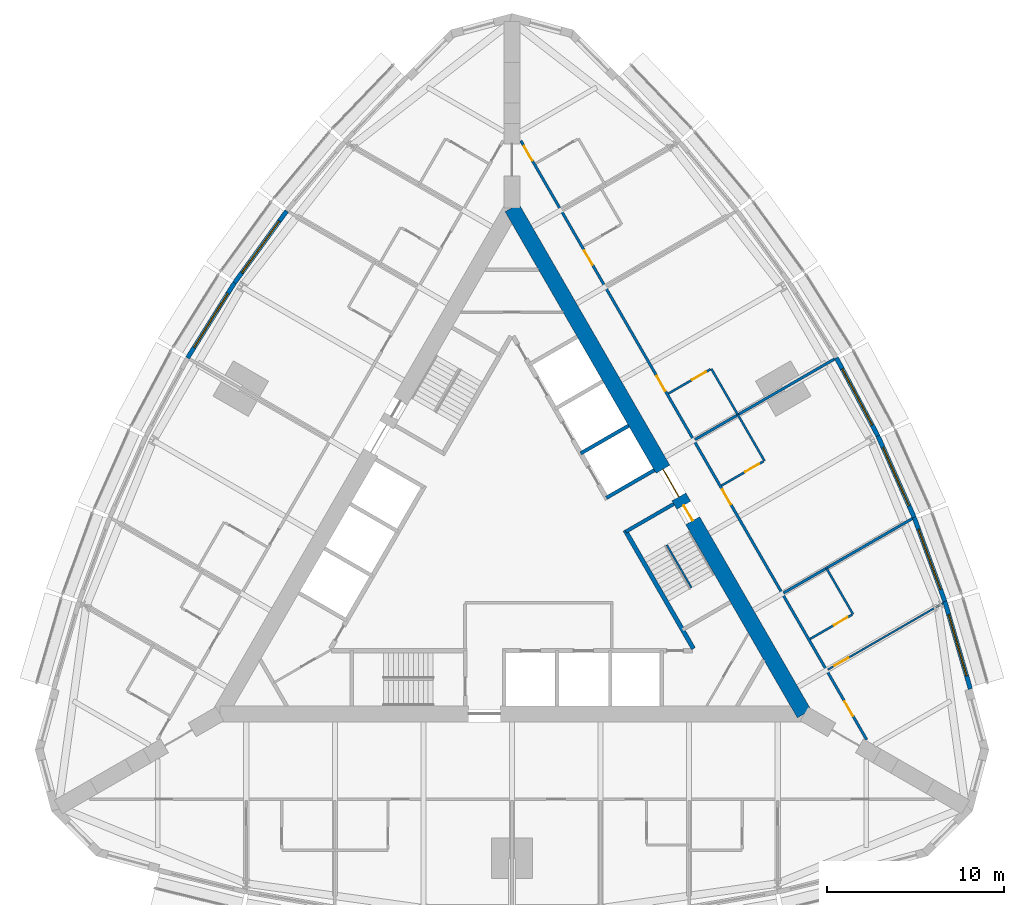
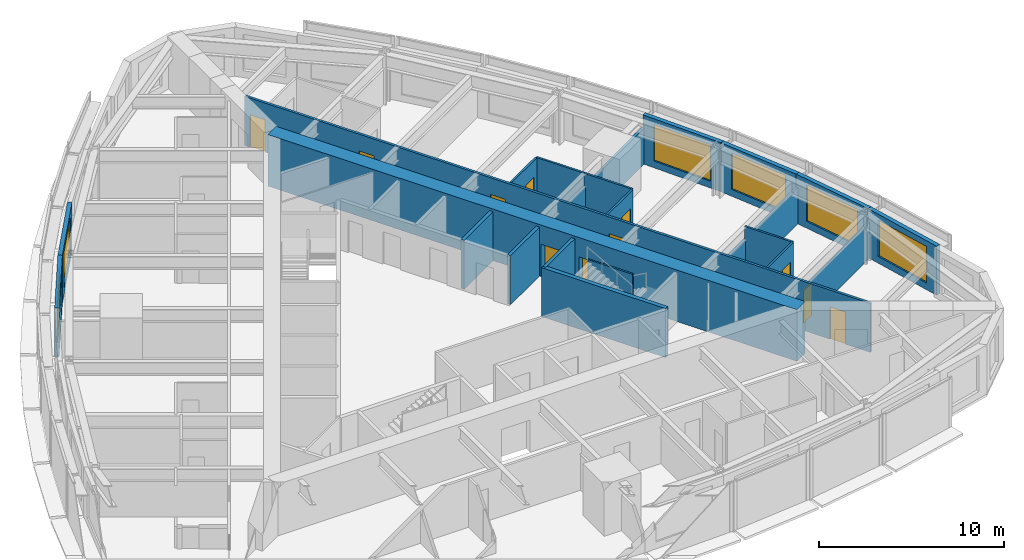
# One storey, part 11 of 14: 22 walls, 11 doors, 6 windows, 17 openings.
"""IFC4 building model written with IfcOpenShell, lengths in metres."""

from ifc_helpers import new_model, si_unit, direction, frame, frame_2d, origin, place, context, subcontext, project, spatial, rectangle, extrude, material, layer, layer_set, type_object, element, fill, save


model = new_model("IFC4")

# Units and contexts
model_context = context("Model", 3, precision=1e-05, world=origin(), true_north=direction((0.0, 1.0)))
body_context = subcontext(model_context, "Body", "Model", "MODEL_VIEW")
ifc_project = project(units=[si_unit("LENGTHUNIT", "METRE"), si_unit("AREAUNIT", "SQUARE_METRE"), si_unit("VOLUMEUNIT", "CUBIC_METRE"), si_unit("PLANEANGLEUNIT", "RADIAN"), si_unit("MASSUNIT", "GRAM", prefix="KILO")], contexts=[model_context])

# Site, building, storey
site_placement = place(None, origin())
site = spatial("IfcSite", under=ifc_project, at=site_placement, CompositionType="ELEMENT")
building_placement = place(site_placement, origin())
building = spatial("IfcBuilding", under=site, at=building_placement, Name="Trikona Tower", CompositionType="ELEMENT")
storey_placement = place(building_placement, frame((0.0, 0.0, 162.300048828125)))
storey = spatial("IfcBuildingStorey", under=building, at=storey_placement, Name="L43", CompositionType="ELEMENT", Elevation=162.300048828125)

# Wall
ifc_material_1 = material(Name="Metal stud and cement board", Category="gypsum")
ifc_layer_1 = layer(ifc_material_1, 0.1201171875)
ifc_layer_set_1 = layer_set([ifc_layer_1], Name="Bathroom wall 120")
wall_type_1 = type_object("IfcWallType", Name="Bathroom wall 120", PredefinedType="PLUMBINGWALL", material=ifc_layer_set_1)
wall_1_placement = place(storey_placement, frame((19.25341796875, -3.895263671875, 0.0), z_axis=(0.0, 0.0, 1.0), x_axis=(-0.499990139034, 0.866031096941, 0.0)))
element("IfcWall", 1, at=wall_1_placement, inside=storey, type_object=wall_type_1, Name="Bathroom wall 4305.1", PredefinedType="PLUMBINGWALL", context=body_context, shape_type="SweptSolid", body=[
    extrude(rectangle(XDim=3.0, YDim=0.1201171875, at=frame_2d((1.5, 0.0))), origin(), (0.0, 0.0, 1.0), 3.23486328125),
])

# Wall, opening, door
wall_2_placement = place(storey_placement, frame((16.82861328125, -5.295166015625, 0.0), z_axis=(0.0, 0.0, 1.0), x_axis=(0.866035715982, 0.499982138324, 0.0)))
wall_2 = element("IfcWall", 2, at=wall_2_placement, inside=storey, type_object=wall_type_1, Name="Bathroom wall 4305.1", PredefinedType="PLUMBINGWALL", context=body_context, shape_type="SweptSolid", body=[
    extrude(rectangle(XDim=2.73974609375, YDim=0.1201171875, at=frame_2d((1.369873046875, 0.0))), origin(), (0.0, 0.0, 1.0), 3.23486328125),
])
opening_1_placement = place(wall_2_placement, frame((1.550048828125, 0.0, 0.0)))
opening_1 = element("IfcOpeningElement", 3, at=opening_1_placement, cuts=wall_2, Name="Opening D2", PredefinedType="OPENING", context=body_context, shape_type="SweptSolid", body=[
    extrude(rectangle(XDim=0.89990234375, YDim=2.1298828125, at=frame_2d((0.449951171875, 1.06494140625))), frame((0.0, 0.070068359375, 0.0), z_axis=(0.0, -1.0, 0.0), x_axis=(1.0, 0.0, 0.0)), (0.0, 0.0, 1.0), 0.14013671875),
])
ifc_material_2 = material(Name="Steel door frame with solid-core timber leaf", Category="steel")
door_type_1 = type_object("IfcDoorType", Name="Bathroom door 900x2130", OperationType="SLIDING_TO_LEFT", PredefinedType="DOOR", material=ifc_material_2)
door_1_placement = place(opening_1_placement, origin())
door_1 = element("IfcDoor", 4, at=door_1_placement, inside=storey, type_object=door_type_1, Name="Bathroom door 4305.1", OperationType="SLIDING_TO_LEFT", OverallHeight=2.1298828125, OverallWidth=0.89990234375, PredefinedType="DOOR", context=body_context, shape_type="SweptSolid", body=[
    extrude(rectangle(XDim=0.89990234375, YDim=2.1298828125, at=frame_2d((0.449951171875, 1.06494140625))), frame((0.0, 0.02490234375, 0.0), z_axis=(0.0, -1.0, 0.0), x_axis=(1.0, 0.0, 0.0)), (0.0, 0.0, 1.0), 0.050048828125),
])
fill(opening_1, door_1)

# Wall
wall_3_placement = place(storey_placement, frame((14.25341796875, 4.76513671875, 0.0), z_axis=(0.0, 0.0, 1.0), x_axis=(-0.50002537861, 0.866010750942, 0.0)))
element("IfcWall", 5, at=wall_3_placement, inside=storey, type_object=wall_type_1, Name="Bathroom wall 4306", PredefinedType="PLUMBINGWALL", context=body_context, shape_type="SweptSolid", body=[
    extrude(rectangle(XDim=2.999755859375, YDim=0.1201171875, at=frame_2d((1.5, 0.0))), origin(), (0.0, 0.0, 1.0), 3.23486328125),
])

# Wall, opening, door
wall_4_placement = place(storey_placement, frame((11.82861328125, 3.364990234375, 0.0), z_axis=(0.0, 0.0, 1.0), x_axis=(0.865997131366, 0.500048966069, 0.0)))
wall_4 = element("IfcWall", 6, at=wall_4_placement, inside=storey, type_object=wall_type_1, Name="Bathroom wall 4306", PredefinedType="PLUMBINGWALL", context=body_context, shape_type="SweptSolid", body=[
    extrude(rectangle(XDim=2.739990234375, YDim=0.1201171875, at=frame_2d((1.3701171875, 0.0))), origin(), (0.0, 0.0, 1.0), 3.23486328125),
])
opening_2_placement = place(wall_4_placement, frame((1.550048828125, 0.0, 0.0)))
opening_2 = element("IfcOpeningElement", 7, at=opening_2_placement, cuts=wall_4, Name="Opening D2", PredefinedType="OPENING", context=body_context, shape_type="SweptSolid", body=[
    extrude(rectangle(XDim=0.89990234375, YDim=2.1298828125, at=frame_2d((0.449951171875, 1.06494140625))), frame((0.0, 0.070068359375, 0.0), z_axis=(0.0, -1.0, 0.0), x_axis=(1.0, 0.0, 0.0)), (0.0, 0.0, 1.0), 0.14013671875),
])
door_2_placement = place(opening_2_placement, origin())
door_2 = element("IfcDoor", 8, at=door_2_placement, inside=storey, type_object=door_type_1, Name="Bathroom door 4306", OperationType="SLIDING_TO_LEFT", OverallHeight=2.1298828125, OverallWidth=0.89990234375, PredefinedType="DOOR", context=body_context, shape_type="SweptSolid", body=[
    extrude(rectangle(XDim=0.89990234375, YDim=2.1298828125, at=frame_2d((0.449951171875, 1.06494140625))), frame((0.0, 0.02490234375, 0.0), z_axis=(0.0, -1.0, 0.0), x_axis=(1.0, 0.0, 0.0)), (0.0, 0.0, 1.0), 0.050048828125),
])
fill(opening_2, door_2)

# Wall
wall_5_placement = place(storey_placement, frame((12.75341796875, 7.363037109375, 0.0), z_axis=(0.0, 0.0, 1.0), x_axis=(-0.499990139034, 0.866031096941, 0.0)))
element("IfcWall", 9, at=wall_5_placement, inside=storey, type_object=wall_type_1, Name="Bathroom wall 4307", PredefinedType="PLUMBINGWALL", context=body_context, shape_type="SweptSolid", body=[
    extrude(rectangle(XDim=3.0, YDim=0.1201171875, at=frame_2d((1.5, 0.0))), origin(), (0.0, 0.0, 1.0), 3.23486328125),
])

# Wall, opening, door
wall_6_placement = place(storey_placement, frame((8.82861328125, 8.561279296875, 0.0), z_axis=(0.0, 0.0, 1.0), x_axis=(0.866035715982, 0.499982138324, 0.0)))
wall_6 = element("IfcWall", 10, at=wall_6_placement, inside=storey, type_object=wall_type_1, Name="Bathroom wall 4307", PredefinedType="PLUMBINGWALL", context=body_context, shape_type="SweptSolid", body=[
    extrude(rectangle(XDim=2.73974609375, YDim=0.1201171875, at=frame_2d((1.369873046875, 0.0))), origin(), (0.0, 0.0, 1.0), 3.23486328125),
])
opening_3_placement = place(wall_6_placement, frame((1.550048828125, 0.0, 0.0)))
opening_3 = element("IfcOpeningElement", 11, at=opening_3_placement, cuts=wall_6, Name="Opening D2", PredefinedType="OPENING", context=body_context, shape_type="SweptSolid", body=[
    extrude(rectangle(XDim=0.89990234375, YDim=2.1298828125, at=frame_2d((0.449951171875, 1.06494140625))), frame((0.0, 0.070068359375, 0.0), z_axis=(0.0, -1.0, 0.0), x_axis=(1.0, 0.0, 0.0)), (0.0, 0.0, 1.0), 0.14013671875),
])
door_3_placement = place(opening_3_placement, origin())
door_3 = element("IfcDoor", 12, at=door_3_placement, inside=storey, type_object=door_type_1, Name="Bathroom door 4307", OperationType="SLIDING_TO_LEFT", OverallHeight=2.1298828125, OverallWidth=0.89990234375, PredefinedType="DOOR", context=body_context, shape_type="SweptSolid", body=[
    extrude(rectangle(XDim=0.89990234375, YDim=2.1298828125, at=frame_2d((0.449951171875, 1.06494140625))), frame((0.0, 0.02490234375, 0.0), z_axis=(0.0, -1.0, 0.0), x_axis=(1.0, 0.0, 0.0)), (0.0, 0.0, 1.0), 0.050048828125),
])
fill(opening_3, door_3)

# Wall, openings, doors
ifc_material_3 = material(Name="Concrete f'c 10000 psi", Category="concrete")
ifc_layer_2 = layer(ifc_material_3, 0.89990234375)
ifc_layer_set_2 = layer_set([ifc_layer_2], Name="Core wall 900")
wall_type_2 = type_object("IfcWallType", Name="Core wall 900", PredefinedType="SHEAR", material=ifc_layer_set_2)
wall_7_placement = place(storey_placement, frame((16.5, -9.5263671875, 0.0), z_axis=(0.0, 0.0, 1.0), x_axis=(-0.499999749417, 0.866025548458, 0.0)))
wall_7 = element("IfcWall", 13, at=wall_7_placement, inside=storey, type_object=wall_type_2, Name="Core wall B", PredefinedType="SHEAR", context=body_context, shape_type="SweptSolid", body=[
    extrude(rectangle(XDim=33.0, YDim=0.89990234375, at=frame_2d((16.5, 0.0))), origin(), (0.0, 0.0, 1.0), 3.39990234375),
])
opening_4_placement = place(wall_7_placement, frame((14.14990234375, 0.0, 0.0)))
opening_4 = element("IfcOpeningElement", 14, at=opening_4_placement, cuts=wall_7, Name="Opening D6", PredefinedType="OPENING", context=body_context, shape_type="SweptSolid", body=[
    extrude(rectangle(XDim=1.800048828125, YDim=2.1298828125, at=frame_2d((0.89990234375, 1.06494140625))), frame((0.0, 0.4599609375, 0.0), z_axis=(0.0, -1.0, 0.0), x_axis=(1.0, 0.0, 0.0)), (0.0, 0.0, 1.0), 0.919921875),
])
opening_5_placement = place(wall_7_placement, frame((12.60009765625, 0.0, 0.0)))
opening_5 = element("IfcOpeningElement", 15, at=opening_5_placement, cuts=wall_7, Name="Opening D5", PredefinedType="OPENING", context=body_context, shape_type="SweptSolid", body=[
    extrude(rectangle(XDim=1.0, YDim=2.1298828125, at=frame_2d((0.5, 1.06494140625))), frame((0.0, 0.4599609375, 0.0), z_axis=(0.0, -1.0, 0.0), x_axis=(1.0, 0.0, 0.0)), (0.0, 0.0, 1.0), 0.919921875),
])
ifc_material_4 = material(Name="Hollow metal door and frame", Category="steel")
door_type_2 = type_object("IfcDoorType", Name="Lobby door pair 1800x2130", OperationType="DOUBLE_DOOR_SINGLE_SWING", PredefinedType="DOOR", material=ifc_material_4)
door_4_placement = place(opening_4_placement, origin())
door_4 = element("IfcDoor", 16, at=door_4_placement, inside=storey, type_object=door_type_2, Name="Lift lobby door B", OperationType="DOUBLE_DOOR_SINGLE_SWING", OverallHeight=2.1298828125, OverallWidth=1.800048828125, PredefinedType="DOOR", context=body_context, shape_type="SweptSolid", body=[
    extrude(rectangle(XDim=1.800048828125, YDim=2.1298828125, at=frame_2d((0.89990234375, 1.06494140625))), frame((0.0, 0.02490234375, 0.0), z_axis=(0.0, -1.0, 0.0), x_axis=(1.0, 0.0, 0.0)), (0.0, 0.0, 1.0), 0.050048828125),
])
fill(opening_4, door_4)
ifc_material_5 = material(Name="Hollow metal door and frame", Category="steel")
door_type_3 = type_object("IfcDoorType", Name="Stair door 1000x2130", OperationType="SINGLE_SWING_LEFT", PredefinedType="DOOR", material=ifc_material_5)
door_5_placement = place(opening_5_placement, origin())
door_5 = element("IfcDoor", 17, at=door_5_placement, inside=storey, type_object=door_type_3, Name="Stair B door", OperationType="SINGLE_SWING_RIGHT", OverallHeight=2.1298828125, OverallWidth=1.0, PredefinedType="DOOR", context=body_context, shape_type="SweptSolid", body=[
    extrude(rectangle(XDim=1.0, YDim=2.1298828125, at=frame_2d((0.5, 1.06494140625))), frame((0.0, 0.02490234375, 0.0), z_axis=(0.0, -1.0, 0.0), x_axis=(1.0, 0.0, 0.0)), (0.0, 0.0, 1.0), 0.050048828125),
])
fill(opening_5, door_5)

ifc_material_6 = material(Name="Metal stud and gypsum board, 1-hour", Category="gypsum")
ifc_layer_3 = layer(ifc_material_6, 0.14990234375)
ifc_layer_set_3 = layer_set([ifc_layer_3], Name="Corridor wall 150")
wall_type_3 = type_object("IfcWallType", Name="Corridor wall 150", PredefinedType="PARTITIONING", material=ifc_layer_set_3)
wall_8_placement = place(storey_placement, frame((20.027099609375, -10.9853515625, 0.0), z_axis=(0.0, 0.0, 1.0), x_axis=(-0.500001677587, 0.866024435227, 0.0)))
wall_8 = element("IfcWall", 18, at=wall_8_placement, inside=storey, type_object=wall_type_3, Name="Corridor wall L43-2", PredefinedType="PARTITIONING", context=body_context, shape_type="SweptSolid", body=[
    extrude(rectangle(XDim=39.053955078125, YDim=0.14990234375, at=frame_2d((19.52685546875, 0.0))), origin(), (0.0, 0.0, 1.0), 3.23486328125),
])
opening_6_placement = place(wall_8_placement, frame((1.558349609375, 0.0, 0.0)))
opening_6 = element("IfcOpeningElement", 19, at=opening_6_placement, cuts=wall_8, Name="Opening D1", PredefinedType="OPENING", context=body_context, shape_type="SweptSolid", body=[
    extrude(rectangle(XDim=0.949951171875, YDim=2.1298828125, at=frame_2d((0.47509765625, 1.06494140625))), frame((0.0, 0.0849609375, 0.0), z_axis=(0.0, -1.0, 0.0), x_axis=(1.0, 0.0, 0.0)), (0.0, 0.0, 1.0), 0.169921875),
])
opening_7_placement = place(wall_8_placement, frame((15.35205078125, 0.0, 0.0)))
opening_7 = element("IfcOpeningElement", 20, at=opening_7_placement, cuts=wall_8, Name="Opening D1", PredefinedType="OPENING", context=body_context, shape_type="SweptSolid", body=[
    extrude(rectangle(XDim=0.949951171875, YDim=2.1298828125, at=frame_2d((0.47509765625, 1.06494140625))), frame((0.0, 0.0849609375, 0.0), z_axis=(0.0, -1.0, 0.0), x_axis=(1.0, 0.0, 0.0)), (0.0, 0.0, 1.0), 0.169921875),
])
opening_8_placement = place(wall_8_placement, frame((22.751953125, 0.0, 0.0)))
opening_8 = element("IfcOpeningElement", 21, at=opening_8_placement, cuts=wall_8, Name="Opening D1", PredefinedType="OPENING", context=body_context, shape_type="SweptSolid", body=[
    extrude(rectangle(XDim=0.949951171875, YDim=2.1298828125, at=frame_2d((0.47509765625, 1.06494140625))), frame((0.0, 0.0849609375, 0.0), z_axis=(0.0, -1.0, 0.0), x_axis=(1.0, 0.0, 0.0)), (0.0, 0.0, 1.0), 0.169921875),
])
opening_9_placement = place(wall_8_placement, frame((30.951904296875, 0.0, 0.0)))
opening_9 = element("IfcOpeningElement", 22, at=opening_9_placement, cuts=wall_8, Name="Opening D1", PredefinedType="OPENING", context=body_context, shape_type="SweptSolid", body=[
    extrude(rectangle(XDim=0.949951171875, YDim=2.1298828125, at=frame_2d((0.47509765625, 1.06494140625))), frame((0.0, 0.0849609375, 0.0), z_axis=(0.0, -1.0, 0.0), x_axis=(1.0, 0.0, 0.0)), (0.0, 0.0, 1.0), 0.169921875),
])
opening_10_placement = place(wall_8_placement, frame((37.751953125, 0.0, 0.0)))
opening_10 = element("IfcOpeningElement", 23, at=opening_10_placement, cuts=wall_8, Name="Opening D1", PredefinedType="OPENING", context=body_context, shape_type="SweptSolid", body=[
    extrude(rectangle(XDim=0.949951171875, YDim=2.1298828125, at=frame_2d((0.47509765625, 1.06494140625))), frame((0.0, 0.0849609375, 0.0), z_axis=(0.0, -1.0, 0.0), x_axis=(1.0, 0.0, 0.0)), (0.0, 0.0, 1.0), 0.169921875),
])
ifc_material_7 = material(Name="Steel door frame with solid-core timber leaf", Category="steel")
door_type_4 = type_object("IfcDoorType", Name="Guest room door 950x2130", OperationType="SINGLE_SWING_LEFT", PredefinedType="DOOR", material=ifc_material_7)
door_6_placement = place(opening_6_placement, origin())
door_6 = element("IfcDoor", 24, at=door_6_placement, inside=storey, type_object=door_type_4, Name="Room door 4305", OperationType="SINGLE_SWING_LEFT", OverallHeight=2.1298828125, OverallWidth=0.949951171875, PredefinedType="DOOR", context=body_context, shape_type="SweptSolid", body=[
    extrude(rectangle(XDim=0.949951171875, YDim=2.1298828125, at=frame_2d((0.47509765625, 1.06494140625))), frame((0.0, 0.02490234375, 0.0), z_axis=(0.0, -1.0, 0.0), x_axis=(1.0, 0.0, 0.0)), (0.0, 0.0, 1.0), 0.050048828125),
])
fill(opening_6, door_6)
door_7_placement = place(opening_7_placement, origin())
door_7 = element("IfcDoor", 25, at=door_7_placement, inside=storey, type_object=door_type_4, Name="Room door 4306", OperationType="SINGLE_SWING_RIGHT", OverallHeight=2.1298828125, OverallWidth=0.949951171875, PredefinedType="DOOR", context=body_context, shape_type="SweptSolid", body=[
    extrude(rectangle(XDim=0.949951171875, YDim=2.1298828125, at=frame_2d((0.47509765625, 1.06494140625))), frame((0.0, 0.02490234375, 0.0), z_axis=(0.0, -1.0, 0.0), x_axis=(1.0, 0.0, 0.0)), (0.0, 0.0, 1.0), 0.050048828125),
])
fill(opening_7, door_7)
door_8_placement = place(opening_8_placement, origin())
door_8 = element("IfcDoor", 26, at=door_8_placement, inside=storey, type_object=door_type_4, Name="Room door 4307", OperationType="SINGLE_SWING_LEFT", OverallHeight=2.1298828125, OverallWidth=0.949951171875, PredefinedType="DOOR", context=body_context, shape_type="SweptSolid", body=[
    extrude(rectangle(XDim=0.949951171875, YDim=2.1298828125, at=frame_2d((0.47509765625, 1.06494140625))), frame((0.0, 0.02490234375, 0.0), z_axis=(0.0, -1.0, 0.0), x_axis=(1.0, 0.0, 0.0)), (0.0, 0.0, 1.0), 0.050048828125),
])
fill(opening_8, door_8)
door_9_placement = place(opening_9_placement, origin())
door_9 = element("IfcDoor", 27, at=door_9_placement, inside=storey, type_object=door_type_4, Name="Room door 4308", OperationType="SINGLE_SWING_RIGHT", OverallHeight=2.1298828125, OverallWidth=0.949951171875, PredefinedType="DOOR", context=body_context, shape_type="SweptSolid", body=[
    extrude(rectangle(XDim=0.949951171875, YDim=2.1298828125, at=frame_2d((0.47509765625, 1.06494140625))), frame((0.0, 0.02490234375, 0.0), z_axis=(0.0, -1.0, 0.0), x_axis=(1.0, 0.0, 0.0)), (0.0, 0.0, 1.0), 0.050048828125),
])
fill(opening_9, door_9)
door_10_placement = place(opening_10_placement, origin())
door_10 = element("IfcDoor", 28, at=door_10_placement, inside=storey, type_object=door_type_4, Name="Room door 4309", OperationType="SINGLE_SWING_RIGHT", OverallHeight=2.1298828125, OverallWidth=0.949951171875, PredefinedType="DOOR", context=body_context, shape_type="SweptSolid", body=[
    extrude(rectangle(XDim=0.949951171875, YDim=2.1298828125, at=frame_2d((0.47509765625, 1.06494140625))), frame((0.0, 0.02490234375, 0.0), z_axis=(0.0, -1.0, 0.0), x_axis=(1.0, 0.0, 0.0)), (0.0, 0.0, 1.0), 0.050048828125),
])
fill(opening_10, door_10)

# Wall
ifc_material_8 = material(Name="Concrete f'c 8000 psi", Category="concrete")
ifc_layer_4 = layer(ifc_material_8, 0.25)
ifc_layer_set_4 = layer_set([ifc_layer_4], Name="Hub wall 250")
wall_type_4 = type_object("IfcWallType", Name="Hub wall 250", PredefinedType="SOLIDWALL", material=ifc_layer_set_4)
wall_9_placement = place(storey_placement, frame((10.245361328125, -5.843017578125, 0.0), z_axis=(0.0, 0.0, 1.0), x_axis=(-0.499993009313, 0.866029439822, 0.0)))
element("IfcWall", 29, at=wall_9_placement, inside=storey, type_object=wall_type_4, Name="Lift lobby wall B1", PredefinedType="SOLIDWALL", context=body_context, shape_type="SweptSolid", body=[
    extrude(rectangle(XDim=7.73291015625, YDim=0.25, at=frame_2d((3.866455078125, 0.0))), origin(), (0.0, 0.0, 1.0), 3.23486328125),
])

# Wall, opening, window
ifc_material_9 = material(Name="Insulated precast concrete spandrel panel", Category="concrete")
ifc_layer_5 = layer(ifc_material_9, 0.25)
ifc_layer_set_5 = layer_set([ifc_layer_5], Name="Inner skin wall 250")
wall_type_5 = type_object("IfcWallType", Name="Inner skin wall 250", PredefinedType="STANDARD", material=ifc_layer_set_5)
wall_10_placement = place(storey_placement, frame((25.8798828125, -8.117919921875, 0.0), z_axis=(0.0, 0.0, 1.0), x_axis=(-0.279528287117, 0.960137457191, 0.0)))
wall_10 = element("IfcWall", 30, at=wall_10_placement, inside=storey, type_object=wall_type_5, Name="External wall L43-12", PredefinedType="STANDARD", context=body_context, shape_type="SweptSolid", body=[
    extrude(rectangle(XDim=5.14794921875, YDim=0.25, at=frame_2d((2.573974609375, 0.0))), origin(), (0.0, 0.0, 1.0), 3.23486328125),
])
opening_11_placement = place(wall_10_placement, frame((0.77392578125, 0.0, 0.449951171875)))
opening_11 = element("IfcOpeningElement", 31, at=opening_11_placement, cuts=wall_10, Name="Opening W3624", PredefinedType="OPENING", context=body_context, shape_type="SweptSolid", body=[
    extrude(rectangle(XDim=3.60009765625, YDim=2.39990234375, at=frame_2d((1.800048828125, 1.199951171875))), frame((0.0, 0.135009765625, 0.0), z_axis=(0.0, -1.0, 0.0), x_axis=(1.0, 0.0, 0.0)), (0.0, 0.0, 1.0), 0.27001953125),
])
ifc_material_10 = material(Name="Aluminium-framed double glazing", Category="aluminium")
window_type = type_object("IfcWindowType", Name="Window 3600x2400", PartitioningType="SINGLE_PANEL", PredefinedType="WINDOW", material=ifc_material_10)
window_1_placement = place(opening_11_placement, origin())
window_1 = element("IfcWindow", 32, at=window_1_placement, inside=storey, type_object=window_type, Name="Window 4305", OverallHeight=2.39990234375, OverallWidth=3.60009765625, PartitioningType="SINGLE_PANEL", PredefinedType="WINDOW", context=body_context, shape_type="SweptSolid", body=[
    extrude(rectangle(XDim=3.60009765625, YDim=2.39990234375, at=frame_2d((1.800048828125, 1.199951171875))), frame((0.0, 0.030029296875, 0.0), z_axis=(0.0, -1.0, 0.0), x_axis=(1.0, 0.0, 0.0)), (0.0, 0.0, 1.0), 0.06005859375),
])
fill(opening_11, window_1)

wall_11_placement = place(storey_placement, frame((24.443603515625, -3.18310546875, 0.0), z_axis=(0.0, 0.0, 1.0), x_axis=(-0.343225593282, 0.939252996863, 0.0)))
wall_11 = element("IfcWall", 33, at=wall_11_placement, inside=storey, type_object=wall_type_5, Name="External wall L43-13", PredefinedType="STANDARD", context=body_context, shape_type="SweptSolid", body=[
    extrude(rectangle(XDim=5.075927734375, YDim=0.25, at=frame_2d((2.5380859375, 0.0))), origin(), (0.0, 0.0, 1.0), 3.23486328125),
])
opening_12_placement = place(wall_11_placement, frame((0.738037109375, 0.0, 0.449951171875)))
opening_12 = element("IfcOpeningElement", 34, at=opening_12_placement, cuts=wall_11, Name="Opening W3624", PredefinedType="OPENING", context=body_context, shape_type="SweptSolid", body=[
    extrude(rectangle(XDim=3.60009765625, YDim=2.39990234375, at=frame_2d((1.800048828125, 1.199951171875))), frame((0.0, 0.135009765625, 0.0), z_axis=(0.0, -1.0, 0.0), x_axis=(1.0, 0.0, 0.0)), (0.0, 0.0, 1.0), 0.27001953125),
])
window_2_placement = place(opening_12_placement, origin())
window_2 = element("IfcWindow", 35, at=window_2_placement, inside=storey, type_object=window_type, Name="Window 4305.1", OverallHeight=2.39990234375, OverallWidth=3.60009765625, PartitioningType="SINGLE_PANEL", PredefinedType="WINDOW", context=body_context, shape_type="SweptSolid", body=[
    extrude(rectangle(XDim=3.60009765625, YDim=2.39990234375, at=frame_2d((1.800048828125, 1.199951171875))), frame((0.0, 0.030029296875, 0.0), z_axis=(0.0, -1.0, 0.0), x_axis=(1.0, 0.0, 0.0)), (0.0, 0.0, 1.0), 0.06005859375),
])
fill(opening_12, window_2)

wall_12_placement = place(storey_placement, frame((22.70458984375, 1.576416015625, 0.0), z_axis=(0.0, 0.0, 1.0), x_axis=(-0.406832200364, 0.913502906808, 0.0)))
wall_12 = element("IfcWall", 36, at=wall_12_placement, inside=storey, type_object=wall_type_5, Name="External wall L43-14", PredefinedType="STANDARD", context=body_context, shape_type="SweptSolid", body=[
    extrude(rectangle(XDim=5.027587890625, YDim=0.25, at=frame_2d((2.513671875, 0.0))), origin(), (0.0, 0.0, 1.0), 3.23486328125),
])
opening_13_placement = place(wall_12_placement, frame((0.713623046875, 0.0, 0.449951171875)))
opening_13 = element("IfcOpeningElement", 37, at=opening_13_placement, cuts=wall_12, Name="Opening W3624", PredefinedType="OPENING", context=body_context, shape_type="SweptSolid", body=[
    extrude(rectangle(XDim=3.60009765625, YDim=2.39990234375, at=frame_2d((1.800048828125, 1.199951171875))), frame((0.0, 0.135009765625, 0.0), z_axis=(0.0, -1.0, 0.0), x_axis=(1.0, 0.0, 0.0)), (0.0, 0.0, 1.0), 0.27001953125),
])
window_3_placement = place(opening_13_placement, origin())
window_3 = element("IfcWindow", 38, at=window_3_placement, inside=storey, type_object=window_type, Name="Window 4306", OverallHeight=2.39990234375, OverallWidth=3.60009765625, PartitioningType="SINGLE_PANEL", PredefinedType="WINDOW", context=body_context, shape_type="SweptSolid", body=[
    extrude(rectangle(XDim=3.60009765625, YDim=2.39990234375, at=frame_2d((1.800048828125, 1.199951171875))), frame((0.0, 0.030029296875, 0.0), z_axis=(0.0, -1.0, 0.0), x_axis=(1.0, 0.0, 0.0)), (0.0, 0.0, 1.0), 0.06005859375),
])
fill(opening_13, window_3)

wall_13_placement = place(storey_placement, frame((20.662841796875, 6.161376953125, 0.0), z_axis=(0.0, 0.0, 1.0), x_axis=(-0.469404966864, 0.882982999317, 0.0)))
wall_13 = element("IfcWall", 39, at=wall_13_placement, inside=storey, type_object=wall_type_5, Name="External wall L43-15", PredefinedType="STANDARD", context=body_context, shape_type="SweptSolid", body=[
    extrude(rectangle(XDim=5.0029296875, YDim=0.25, at=frame_2d((2.50146484375, 0.0))), origin(), (0.0, 0.0, 1.0), 3.23486328125),
])
opening_14_placement = place(wall_13_placement, frame((0.701416015625, 0.0, 0.449951171875)))
opening_14 = element("IfcOpeningElement", 40, at=opening_14_placement, cuts=wall_13, Name="Opening W3624", PredefinedType="OPENING", context=body_context, shape_type="SweptSolid", body=[
    extrude(rectangle(XDim=3.60009765625, YDim=2.39990234375, at=frame_2d((1.800048828125, 1.199951171875))), frame((0.0, 0.135009765625, 0.0), z_axis=(0.0, -1.0, 0.0), x_axis=(1.0, 0.0, 0.0)), (0.0, 0.0, 1.0), 0.27001953125),
])
window_4_placement = place(opening_14_placement, origin())
window_4 = element("IfcWindow", 41, at=window_4_placement, inside=storey, type_object=window_type, Name="Window 4306", OverallHeight=2.39990234375, OverallWidth=3.60009765625, PartitioningType="SINGLE_PANEL", PredefinedType="WINDOW", context=body_context, shape_type="SweptSolid", body=[
    extrude(rectangle(XDim=3.60009765625, YDim=2.39990234375, at=frame_2d((1.800048828125, 1.199951171875))), frame((0.0, 0.030029296875, 0.0), z_axis=(0.0, -1.0, 0.0), x_axis=(1.0, 0.0, 0.0)), (0.0, 0.0, 1.0), 0.06005859375),
])
fill(opening_14, window_4)

wall_14_placement = place(storey_placement, frame((-12.717529296875, 18.87451171875, 0.0), z_axis=(0.0, 0.0, 1.0), x_axis=(-0.587669188412, -0.809101307001, 0.0)))
wall_14 = element("IfcWall", 42, at=wall_14_placement, inside=storey, type_object=wall_type_5, Name="External wall L43-26", PredefinedType="STANDARD", context=body_context, shape_type="SweptSolid", body=[
    extrude(rectangle(XDim=5.027587890625, YDim=0.25, at=frame_2d((2.513671875, 0.0))), origin(), (0.0, 0.0, 1.0), 3.23486328125),
])
opening_15_placement = place(wall_14_placement, frame((0.7138671875, 0.0, 0.449951171875)))
opening_15 = element("IfcOpeningElement", 43, at=opening_15_placement, cuts=wall_14, Name="Opening W3624", PredefinedType="OPENING", context=body_context, shape_type="SweptSolid", body=[
    extrude(rectangle(XDim=3.60009765625, YDim=2.39990234375, at=frame_2d((1.800048828125, 1.199951171875))), frame((0.0, 0.135009765625, 0.0), z_axis=(0.0, -1.0, 0.0), x_axis=(1.0, 0.0, 0.0)), (0.0, 0.0, 1.0), 0.27001953125),
])
window_5_placement = place(opening_15_placement, origin())
window_5 = element("IfcWindow", 44, at=window_5_placement, inside=storey, type_object=window_type, Name="Window 4312", OverallHeight=2.39990234375, OverallWidth=3.60009765625, PartitioningType="SINGLE_PANEL", PredefinedType="WINDOW", context=body_context, shape_type="SweptSolid", body=[
    extrude(rectangle(XDim=3.60009765625, YDim=2.39990234375, at=frame_2d((1.800048828125, 1.199951171875))), frame((0.0, 0.030029296875, 0.0), z_axis=(0.0, -1.0, 0.0), x_axis=(1.0, 0.0, 0.0)), (0.0, 0.0, 1.0), 0.06005859375),
])
fill(opening_15, window_5)

wall_15_placement = place(storey_placement, frame((-15.667236328125, 14.81396484375, 0.0), z_axis=(0.0, 0.0, 1.0), x_axis=(-0.529990167382, -0.84800378683, 0.0)))
wall_15 = element("IfcWall", 45, at=wall_15_placement, inside=storey, type_object=wall_type_5, Name="External wall L43-27", PredefinedType="STANDARD", context=body_context, shape_type="SweptSolid", body=[
    extrude(rectangle(XDim=5.003173828125, YDim=0.25, at=frame_2d((2.50146484375, 0.0))), origin(), (0.0, 0.0, 1.0), 3.23486328125),
])
opening_16_placement = place(wall_15_placement, frame((0.701416015625, 0.0, 0.449951171875)))
opening_16 = element("IfcOpeningElement", 46, at=opening_16_placement, cuts=wall_15, Name="Opening W3624", PredefinedType="OPENING", context=body_context, shape_type="SweptSolid", body=[
    extrude(rectangle(XDim=3.60009765625, YDim=2.39990234375, at=frame_2d((1.800048828125, 1.199951171875))), frame((0.0, 0.135009765625, 0.0), z_axis=(0.0, -1.0, 0.0), x_axis=(1.0, 0.0, 0.0)), (0.0, 0.0, 1.0), 0.27001953125),
])
window_6_placement = place(opening_16_placement, origin())
window_6 = element("IfcWindow", 47, at=window_6_placement, inside=storey, type_object=window_type, Name="Window 4312", OverallHeight=2.39990234375, OverallWidth=3.60009765625, PartitioningType="SINGLE_PANEL", PredefinedType="WINDOW", context=body_context, shape_type="SweptSolid", body=[
    extrude(rectangle(XDim=3.60009765625, YDim=2.39990234375, at=frame_2d((1.800048828125, 1.199951171875))), frame((0.0, 0.030029296875, 0.0), z_axis=(0.0, -1.0, 0.0), x_axis=(1.0, 0.0, 0.0)), (0.0, 0.0, 1.0), 0.06005859375),
])
fill(opening_16, window_6)

# Walls
ifc_material_11 = material(Name="Metal stud and gypsum board, 1-hour acoustic", Category="gypsum")
ifc_layer_6 = layer(ifc_material_11, 0.14990234375)
ifc_layer_set_6 = layer_set([ifc_layer_6], Name="Party wall 150")
wall_type_6 = type_object("IfcWallType", Name="Party wall 150", PredefinedType="PARTITIONING", material=ifc_layer_set_6)
wall_16_placement = place(storey_placement, frame((15.32861328125, -2.697021484375, 0.0), z_axis=(0.0, 0.0, 1.0), x_axis=(0.866024316602, 0.50000188305, 0.0)))
element("IfcWall", 48, at=wall_16_placement, inside=storey, type_object=wall_type_6, Name="Partition L43 F2 u-10", PredefinedType="PARTITIONING", context=body_context, shape_type="SweptSolid", body=[
    extrude(rectangle(XDim=8.39501953125, YDim=0.14990234375, at=frame_2d((4.197509765625, 0.0))), origin(), (0.0, 0.0, 1.0), 2.38916015625),
])
wall_17_placement = place(storey_placement, frame((10.32861328125, 5.963134765625, 0.0), z_axis=(0.0, 0.0, 1.0), x_axis=(0.866025170687, 0.500000403736, 0.0)))
element("IfcWall", 49, at=wall_17_placement, inside=storey, type_object=wall_type_6, Name="Partition L43 F2 u-4.44089e-15", PredefinedType="PARTITIONING", context=body_context, shape_type="SweptSolid", body=[
    extrude(rectangle(XDim=9.0986328125, YDim=0.14990234375, at=frame_2d((4.54931640625, 0.0))), origin(), (0.0, 0.0, 1.0), 2.38916015625),
])
ifc_material_12 = material(Name="Concrete f'c 8000 psi", Category="concrete")
ifc_layer_7 = layer(ifc_material_12, 0.199951171875)
ifc_layer_set_7 = layer_set([ifc_layer_7], Name="Shaft wall 200")
wall_type_7 = type_object("IfcWallType", Name="Shaft wall 200", PredefinedType="SOLIDWALL", material=ifc_layer_set_7)
for number, where, z_axis, x_axis, name in (
    (50, (5.3291015625, 2.672607421875, 0.0), (0.0, 0.0, 1.0), (0.866022959057, 0.500004234368, 0.0), "Shaft wall B3"),
    (51, (3.87890625, 5.18408203125, 0.0), (0.0, 0.0, 1.0), (0.866022959057, 0.500004234368, 0.0), "Shaft wall B4"),
):
    element("IfcWall", number, at=place(storey_placement, frame(where, z_axis=z_axis, x_axis=x_axis)), inside=storey, type_object=wall_type_7, Name=name, PredefinedType="SOLIDWALL", context=body_context, shape_type="SweptSolid", body=[
        extrude(rectangle(XDim=3.125, YDim=0.199951171875, at=frame_2d((1.5625, 0.0))), origin(), (0.0, 0.0, 1.0), 3.23486328125),
    ])
ifc_material_13 = material(Name="Concrete f'c 8000 psi", Category="concrete")
ifc_layer_8 = layer(ifc_material_13, 0.199951171875)
ifc_layer_set_8 = layer_set([ifc_layer_8], Name="Shaft wall 200 load-bearing")
wall_type_8 = type_object("IfcWallType", Name="Shaft wall 200 load-bearing", PredefinedType="SOLIDWALL", material=ifc_layer_set_8)
wall_18_placement = place(storey_placement, frame((6.428955078125, 0.767333984375, 0.0), z_axis=(0.0, 0.0, 1.0), x_axis=(0.866022959057, 0.500004234368, 0.0)))
element("IfcWall", 52, at=wall_18_placement, inside=storey, type_object=wall_type_8, Name="Shaft wall B2", PredefinedType="SOLIDWALL", context=body_context, shape_type="SweptSolid", body=[
    extrude(rectangle(XDim=3.125, YDim=0.199951171875, at=frame_2d((1.5625, 0.0))), origin(), (0.0, 0.0, 1.0), 3.23486328125),
])
ifc_material_14 = material(Name="Concrete f'c 5000 psi", Category="concrete")
ifc_layer_9 = layer(ifc_material_14, 0.10009765625)
ifc_layer_set_9 = layer_set([ifc_layer_9], Name="Stair spine wall 100")
wall_type_9 = type_object("IfcWallType", Name="Stair spine wall 100", PredefinedType="SOLIDWALL", material=ifc_layer_set_9)
wall_19_placement = place(storey_placement, frame((10.134765625, -2.4013671875, 0.0), z_axis=(0.0, 0.0, 1.0), x_axis=(-0.499992232847, 0.866029888106, 0.0)))
element("IfcWall", 53, at=wall_19_placement, inside=storey, type_object=wall_type_9, Name="Stair B spine wall L43", PredefinedType="SOLIDWALL", context=body_context, shape_type="SweptSolid", body=[
    extrude(rectangle(XDim=2.7939453125, YDim=0.10009765625, at=frame_2d((1.39697265625, 0.0))), origin(), (0.0, 0.0, 1.0), 3.39990234375),
])

# Wall, opening, door
ifc_material_15 = material(Name="Metal stud and gypsum board, acoustic", Category="gypsum")
ifc_layer_10 = layer(ifc_material_15, 0.10009765625)
ifc_layer_set_10 = layer_set([ifc_layer_10], Name="Suite partition 100")
wall_type_10 = type_object("IfcWallType", Name="Suite partition 100", PredefinedType="PARTITIONING", material=ifc_layer_set_10)
wall_20_placement = place(storey_placement, frame((17.82861328125, -7.027099609375, 0.0), z_axis=(0.0, 0.0, 1.0), x_axis=(0.866029804378, 0.499992377871, 0.0)))
wall_20 = element("IfcWall", 54, at=wall_20_placement, inside=storey, type_object=wall_type_10, Name="Suite partition L43 F2 u-15", PredefinedType="PARTITIONING", context=body_context, shape_type="SweptSolid", body=[
    extrude(rectangle(XDim=7.51611328125, YDim=0.10009765625, at=frame_2d((3.758056640625, 0.0))), origin(), (0.0, 0.0, 1.0), 2.38916015625),
])
opening_17_placement = place(wall_20_placement, frame((0.449951171875, 0.0, 0.0)))
opening_17 = element("IfcOpeningElement", 55, at=opening_17_placement, cuts=wall_20, Name="Opening D13", PredefinedType="OPENING", context=body_context, shape_type="SweptSolid", body=[
    extrude(rectangle(XDim=0.89990234375, YDim=2.1298828125, at=frame_2d((0.449951171875, 1.06494140625))), frame((0.0, 0.06005859375, 0.0), z_axis=(0.0, -1.0, 0.0), x_axis=(1.0, 0.0, 0.0)), (0.0, 0.0, 1.0), 0.1201171875),
])
ifc_material_16 = material(Name="Steel door frame with solid-core timber leaf", Category="steel")
door_type_5 = type_object("IfcDoorType", Name="Suite door 900x2130", OperationType="SINGLE_SWING_LEFT", PredefinedType="DOOR", material=ifc_material_16)
door_11_placement = place(opening_17_placement, origin())
door_11 = element("IfcDoor", 56, at=door_11_placement, inside=storey, type_object=door_type_5, Name="Suite door 4305", OperationType="SINGLE_SWING_LEFT", OverallHeight=2.1298828125, OverallWidth=0.89990234375, PredefinedType="DOOR", context=body_context, shape_type="SweptSolid", body=[
    extrude(rectangle(XDim=0.89990234375, YDim=2.1298828125, at=frame_2d((0.449951171875, 1.06494140625))), frame((0.0, 0.02490234375, 0.0), z_axis=(0.0, -1.0, 0.0), x_axis=(1.0, 0.0, 0.0)), (0.0, 0.0, 1.0), 0.050048828125),
])
fill(opening_17, door_11)

save(model, "model.ifc")
